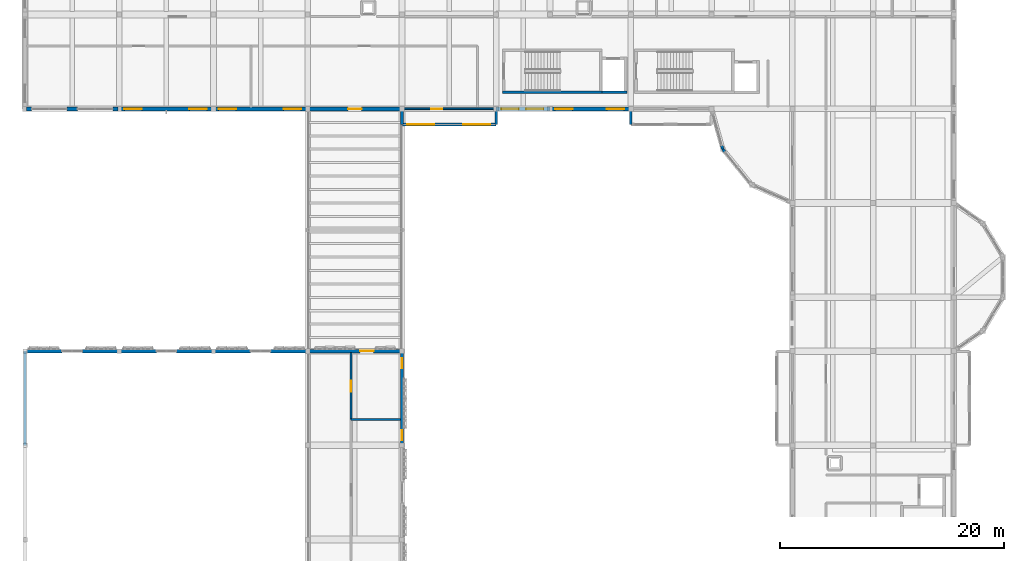
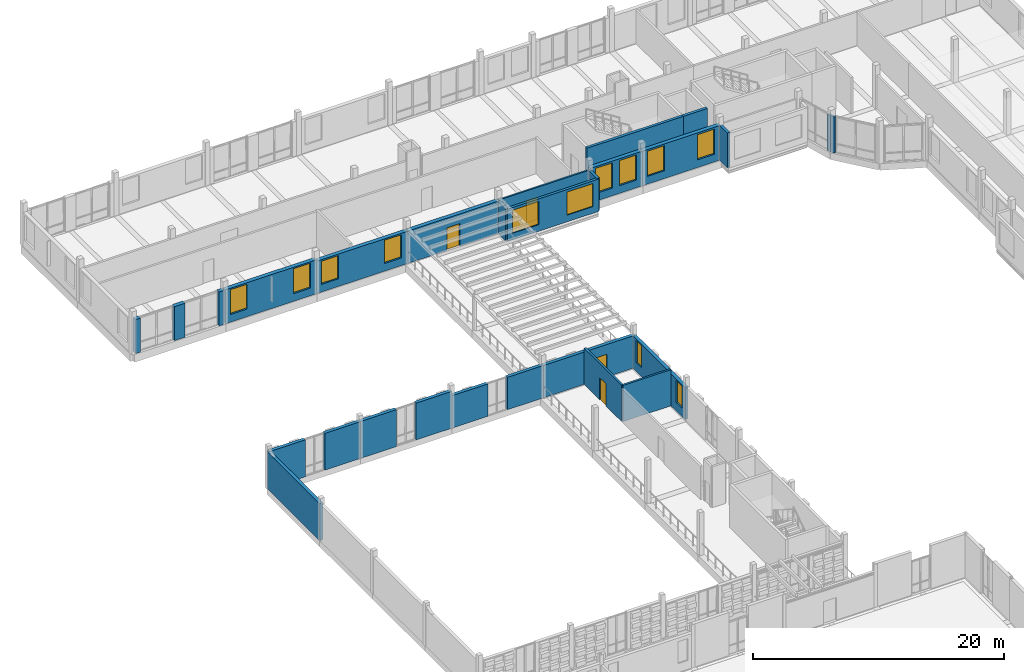
# One storey, part 70 of 99: 28 walls, 12 windows, 4 doors, 16 openings.
"""IFC4 building model written with IfcOpenShell, lengths in metres."""

from ifc_helpers import new_model, si_unit, direction, frame, frame_2d, origin, place, context, subcontext, project, spatial, rectangle, extrude, material, layer, layer_set, type_object, element, fill, save


model = new_model("IFC4")

# Units and contexts
model_context = context("Model", 3, precision=1e-05, world=origin(), true_north=direction((0.0, 1.0)))
body_context = subcontext(model_context, "Body", "Model", "MODEL_VIEW")
ifc_project = project(units=[si_unit("LENGTHUNIT", "METRE"), si_unit("AREAUNIT", "SQUARE_METRE"), si_unit("VOLUMEUNIT", "CUBIC_METRE"), si_unit("PLANEANGLEUNIT", "RADIAN"), si_unit("MASSUNIT", "GRAM", prefix="KILO")], contexts=[model_context])

# Site, building, storey
site_placement = place(None, origin())
site = spatial("IfcSite", under=ifc_project, at=site_placement, CompositionType="ELEMENT")
building_placement = place(site_placement, origin())
building = spatial("IfcBuilding", under=site, at=building_placement, Name="Kahlenmark Community Centre", CompositionType="ELEMENT")
storey_placement = place(building_placement, frame((0.0, 0.0, 5.39990234375)))
storey = spatial("IfcBuildingStorey", under=building, at=storey_placement, Name="L01", CompositionType="ELEMENT", Elevation=5.39990234375)

# Walls
ifc_material_1 = material(Name="Concrete C35/45", Category="concrete")
ifc_layer_1 = layer(ifc_material_1, 0.25)
ifc_layer_set_1 = layer_set([ifc_layer_1], Name="Concrete C35/45")
wall_type_1 = type_object("IfcWallType", Name="WT-CORE-250", PredefinedType="SHEAR", material=ifc_layer_set_1)
wall_1_placement = place(storey_placement, frame((46.550048828125, 99.074951171875, 0.0), z_axis=(0.0, 0.0, 1.0), x_axis=(1.0, 0.0, 0.0)))
element("IfcWall", 1, at=wall_1_placement, inside=storey, type_object=wall_type_1, Name="Core K4 shear wall WL-CORE-K4-L01-0114", PredefinedType="SHEAR", context=body_context, shape_type="SweptSolid", body=[
    extrude(rectangle(XDim=8.89990234375, YDim=0.25, at=frame_2d((4.449951171875, 0.0))), origin(), (0.0, 0.0, 1.0), 4.2001953125),
])
wall_2_placement = place(storey_placement, frame((55.449951171875, 99.074951171875, 0.0), z_axis=(0.0, 0.0, 1.0), x_axis=(1.0, 0.0, 0.0)))
element("IfcWall", 2, at=wall_2_placement, inside=storey, type_object=wall_type_1, Name="Core K4 shear wall WL-CORE-K4-L01-0117", PredefinedType="SHEAR", context=body_context, shape_type="SweptSolid", body=[
    extrude(rectangle(XDim=2.2099609375, YDim=0.25, at=frame_2d((1.10498046875, 0.0))), origin(), (0.0, 0.0, 1.0), 4.2001953125),
])
ifc_material_2 = material(Name="Cross-laminated timber CLT C24", Category="wood")
ifc_layer_2 = layer(ifc_material_2, 0.239990234375)
ifc_layer_set_2 = layer_set([ifc_layer_2], Name="Cross-laminated timber CLT C24")
wall_type_2 = type_object("IfcWallType", Name="WT-EW-240", PredefinedType="SOLIDWALL", material=ifc_layer_set_2)
for number, where, z_axis, x_axis, name in (
    (3, (66.10888671875, 94.32763671875, 0.0), (0.0, 0.0, 1.0), (0.267791974516, -0.963476755498, 0.0), "Rotunda pier closure 0775"),
    (4, (66.199951171875, 94.0, 0.0), (0.0, 0.0, 1.0), (0.630457451131, -0.776223809422, 0.0), "Rotunda pier closure 0776"),
):
    element("IfcWall", number, at=place(storey_placement, frame(where, z_axis=z_axis, x_axis=x_axis)), inside=storey, type_object=wall_type_2, Name=name, PredefinedType="SOLIDWALL", context=body_context, shape_type="SweptSolid", body=[
        extrude(rectangle(XDim=0.340087890625, YDim=0.239990234375, at=frame_2d((0.169921875, 0.0))), origin(), (0.0, 0.0, 1.0), 3.52001953125),
    ])
wall_3_placement = place(storey_placement, frame((37.60009765625, 97.449951171875, 0.0), z_axis=(0.0, 0.0, 1.0), x_axis=(0.0, -1.0, 0.0)))
element("IfcWall", 5, at=wall_3_placement, inside=storey, type_object=wall_type_2, Name="Bay oriel wall WL-ORI-L01-0820", PredefinedType="SOLIDWALL", context=body_context, shape_type="SweptSolid", body=[
    extrude(rectangle(XDim=1.25, YDim=0.239990234375, at=frame_2d((0.625, 0.0))), origin(), (0.0, 0.0, 1.0), 3.150146484375),
])

# Wall, openings, windows
wall_4_placement = place(storey_placement, frame((37.60009765625, 96.199951171875, 0.0), z_axis=(0.0, 0.0, 1.0), x_axis=(1.0, 0.0, 0.0)))
wall_4 = element("IfcWall", 6, at=wall_4_placement, inside=storey, type_object=wall_type_2, Name="Bay oriel wall WL-ORI-L01-0821", PredefinedType="SOLIDWALL", context=body_context, shape_type="SweptSolid", body=[
    extrude(rectangle(XDim=8.39990234375, YDim=0.239990234375, at=frame_2d((4.199951171875, 0.0))), origin(), (0.0, 0.0, 1.0), 3.150146484375),
])
opening_1_placement = place(wall_4_placement, frame((0.4599609375, 0.0, 0.64990234375)))
opening_1 = element("IfcOpeningElement", 7, at=opening_1_placement, cuts=wall_4, Name="Opening W-240X225", PredefinedType="OPENING", context=body_context, shape_type="SweptSolid", body=[
    extrude(rectangle(XDim=2.39990234375, YDim=2.25, at=frame_2d((1.199951171875, 1.125))), frame((0.0, 0.1298828125, 0.0), z_axis=(0.0, -1.0, 0.0), x_axis=(1.0, 0.0, 0.0)), (0.0, 0.0, 1.0), 0.260009765625),
])
opening_2_placement = place(wall_4_placement, frame((5.4599609375, 0.0, 0.64990234375)))
opening_2 = element("IfcOpeningElement", 8, at=opening_2_placement, cuts=wall_4, Name="Opening W-240X225", PredefinedType="OPENING", context=body_context, shape_type="SweptSolid", body=[
    extrude(rectangle(XDim=2.39990234375, YDim=2.25, at=frame_2d((1.199951171875, 1.125))), frame((0.0, 0.1298828125, 0.0), z_axis=(0.0, -1.0, 0.0), x_axis=(1.0, 0.0, 0.0)), (0.0, 0.0, 1.0), 0.260009765625),
])
ifc_material_3 = material(Name="Triple low-e insulated glazing in timber-aluminium frame", Category="wood")
window_type_1 = type_object("IfcWindowType", Name="WNT-240X225", PartitioningType="TRIPLE_PANEL_VERTICAL", PredefinedType="WINDOW", material=ifc_material_3)
window_1_placement = place(opening_1_placement, origin())
window_1 = element("IfcWindow", 9, at=window_1_placement, inside=storey, type_object=window_type_1, Name="Window W-240X225 #0511", OverallHeight=2.25, OverallWidth=2.39990234375, PartitioningType="TRIPLE_PANEL_VERTICAL", PredefinedType="WINDOW", context=body_context, shape_type="SweptSolid", body=[
    extrude(rectangle(XDim=2.39990234375, YDim=2.25, at=frame_2d((1.199951171875, 1.125))), frame((0.0, 0.030029296875, 0.0), z_axis=(0.0, -1.0, 0.0), x_axis=(1.0, 0.0, 0.0)), (0.0, 0.0, 1.0), 0.06005859375),
])
fill(opening_1, window_1)
window_2_placement = place(opening_2_placement, origin())
window_2 = element("IfcWindow", 10, at=window_2_placement, inside=storey, type_object=window_type_1, Name="Window W-240X225 #0512", OverallHeight=2.25, OverallWidth=2.39990234375, PartitioningType="TRIPLE_PANEL_VERTICAL", PredefinedType="WINDOW", context=body_context, shape_type="SweptSolid", body=[
    extrude(rectangle(XDim=2.39990234375, YDim=2.25, at=frame_2d((1.199951171875, 1.125))), frame((0.0, 0.030029296875, 0.0), z_axis=(0.0, -1.0, 0.0), x_axis=(1.0, 0.0, 0.0)), (0.0, 0.0, 1.0), 0.06005859375),
])
fill(opening_2, window_2)

# Walls
wall_5_placement = place(storey_placement, frame((46.0, 96.199951171875, 0.0), z_axis=(0.0, 0.0, 1.0), x_axis=(0.0, 1.0, 0.0)))
element("IfcWall", 11, at=wall_5_placement, inside=storey, type_object=wall_type_2, Name="Bay oriel wall WL-ORI-L01-0822", PredefinedType="SOLIDWALL", context=body_context, shape_type="SweptSolid", body=[
    extrude(rectangle(XDim=1.25, YDim=0.239990234375, at=frame_2d((0.625, 0.0))), origin(), (0.0, 0.0, 1.0), 3.150146484375),
])
wall_6_placement = place(storey_placement, frame((58.0, 97.449951171875, 0.0), z_axis=(0.0, 0.0, 1.0), x_axis=(0.0, -1.0, 0.0)))
element("IfcWall", 12, at=wall_6_placement, inside=storey, type_object=wall_type_2, Name="Bay oriel wall WL-ORI-L01-0832", PredefinedType="SOLIDWALL", context=body_context, shape_type="SweptSolid", body=[
    extrude(rectangle(XDim=1.25, YDim=0.239990234375, at=frame_2d((0.625, 0.0))), origin(), (0.0, 0.0, 1.0), 3.3701171875),
])
ifc_layer_3 = layer(ifc_material_2, 0.300048828125)
ifc_layer_set_3 = layer_set([ifc_layer_3], Name="Cross-laminated timber CLT C24")
wall_type_3 = type_object("IfcWallType", Name="WT-EW-300", PredefinedType="SOLIDWALL", material=ifc_layer_set_3)
wall_7_placement = place(storey_placement, frame((12.39990234375, 76.0, 0.0), z_axis=(0.0, 0.0, 1.0), x_axis=(-1.0, 0.0, 0.0)))
element("IfcWall", 13, at=wall_7_placement, inside=storey, type_object=wall_type_3, Name="Basketweave backup wall WL-EXT-L01-0279", PredefinedType="SOLIDWALL", context=body_context, shape_type="SweptSolid", body=[
    extrude(rectangle(XDim=3.2998046875, YDim=0.300048828125, at=frame_2d((1.64990234375, 0.0))), origin(), (0.0, 0.0, 1.0), 3.590087890625),
])
for number, where, z_axis, x_axis, name in (
    (14, (7.300048828125, 76.0, 0.0), (0.0, 0.0, 1.0), (-1.0, 0.0, 0.0), "Basketweave backup wall WL-EXT-L01-0280"),
    (15, (20.800048828125, 76.0, 0.0), (0.0, 0.0, 1.0), (-1.0, 0.0, 0.0), "Basketweave backup wall WL-EXT-L01-0281"),
    (16, (15.699951171875, 76.0, 0.0), (0.0, 0.0, 1.0), (-1.0, 0.0, 0.0), "Basketweave backup wall WL-EXT-L01-0282"),
):
    element("IfcWall", number, at=place(storey_placement, frame(where, z_axis=z_axis, x_axis=x_axis)), inside=storey, type_object=wall_type_3, Name=name, PredefinedType="SOLIDWALL", context=body_context, shape_type="SweptSolid", body=[
        extrude(rectangle(XDim=3.300048828125, YDim=0.300048828125, at=frame_2d((1.64990234375, 0.0))), origin(), (0.0, 0.0, 1.0), 3.590087890625),
    ])
for number, where, z_axis, x_axis, name in (
    (17, (29.199951171875, 76.0, 0.0), (0.0, 0.0, 1.0), (-1.0, 0.0, 0.0), "Basketweave backup wall WL-EXT-L01-0283"),
    (18, (24.10009765625, 76.0, 0.0), (0.0, 0.0, 1.0), (-1.0, 0.0, 0.0), "Basketweave backup wall WL-EXT-L01-0284"),
):
    element("IfcWall", number, at=place(storey_placement, frame(where, z_axis=z_axis, x_axis=x_axis)), inside=storey, type_object=wall_type_3, Name=name, PredefinedType="SOLIDWALL", context=body_context, shape_type="SweptSolid", body=[
        extrude(rectangle(XDim=3.300048828125, YDim=0.300048828125, at=frame_2d((1.64990234375, 0.0))), origin(), (0.0, 0.0, 1.0), 3.150146484375),
    ])

# Wall, opening, door
wall_8_placement = place(storey_placement, frame((37.60009765625, 76.0, 0.0), z_axis=(0.0, 0.0, 1.0), x_axis=(-1.0, 0.0, 0.0)))
wall_8 = element("IfcWall", 19, at=wall_8_placement, inside=storey, type_object=wall_type_3, Name="Exterior wall WL-EXT-L01-0285", PredefinedType="SOLIDWALL", context=body_context, shape_type="SweptSolid", body=[
    extrude(rectangle(XDim=8.400146484375, YDim=0.300048828125, at=frame_2d((4.2001953125, 0.0))), origin(), (0.0, 0.0, 1.0), 3.150146484375),
])
opening_3_placement = place(wall_8_placement, frame((2.52001953125, 0.0, -0.010009765625)))
opening_3 = element("IfcOpeningElement", 20, at=opening_3_placement, cuts=wall_8, Name="Opening D-TER08", PredefinedType="OPENING", context=body_context, shape_type="SweptSolid", body=[
    extrude(rectangle(XDim=1.199951171875, YDim=2.2099609375, at=frame_2d((0.60009765625, 1.10498046875))), frame((0.0, 0.159912109375, 0.0), z_axis=(0.0, -1.0, 0.0), x_axis=(1.0, 0.0, 0.0)), (0.0, 0.0, 1.0), 0.320068359375),
])
ifc_material_4 = material(Name="Thermally broken glazed aluminium terrace door", Category="aluminium")
door_type_1 = type_object("IfcDoorType", Name="DT-EXT-120X220", OperationType="NOTDEFINED", PredefinedType="DOOR", material=ifc_material_4)
door_1_placement = place(opening_3_placement, frame((0.0, 0.0, 0.010009765625)))
door_1 = element("IfcDoor", 21, at=door_1_placement, inside=storey, type_object=door_type_1, Name="Exterior door D-TER08", OperationType="SINGLE_SWING_LEFT", OverallHeight=2.199951171875, OverallWidth=1.199951171875, PredefinedType="DOOR", context=body_context, shape_type="SweptSolid", body=[
    extrude(rectangle(XDim=1.199951171875, YDim=2.199951171875, at=frame_2d((0.60009765625, 1.10009765625))), frame((0.0, 0.02490234375, 0.0), z_axis=(0.0, -1.0, 0.0), x_axis=(1.0, 0.0, 0.0)), (0.0, 0.0, 1.0), 0.050048828125),
])
fill(opening_3, door_1)

# Wall
wall_9_placement = place(storey_placement, frame((4.0, 76.0, 0.0), z_axis=(0.0, 0.0, 1.0), x_axis=(0.0, -1.0, 0.0)))
element("IfcWall", 22, at=wall_9_placement, inside=storey, type_object=wall_type_3, Name="Exterior wall WL-EXT-L01-0289", PredefinedType="SOLIDWALL", context=body_context, shape_type="SweptSolid", body=[
    extrude(rectangle(XDim=8.39990234375, YDim=0.300048828125, at=frame_2d((4.199951171875, 0.0))), origin(), (0.0, 0.0, 1.0), 3.590087890625),
])

# Wall, openings, windows
wall_10_placement = place(storey_placement, frame((37.60009765625, 67.60009765625, 0.0), z_axis=(0.0, 0.0, 1.0), x_axis=(0.0, 1.0, 0.0)))
wall_10 = element("IfcWall", 23, at=wall_10_placement, inside=storey, type_object=wall_type_3, Name="Exterior wall WL-EXT-L01-0296", PredefinedType="SOLIDWALL", context=body_context, shape_type="SweptSolid", body=[
    extrude(rectangle(XDim=8.39990234375, YDim=0.300048828125, at=frame_2d((4.199951171875, 0.0))), origin(), (0.0, 0.0, 1.0), 3.150146484375),
])
opening_4_placement = place(wall_10_placement, frame((0.4599609375, 0.0, 0.85009765625)))
opening_4 = element("IfcOpeningElement", 24, at=opening_4_placement, cuts=wall_10, Name="Opening W-090X215", PredefinedType="OPENING", context=body_context, shape_type="SweptSolid", body=[
    extrude(rectangle(XDim=0.89990234375, YDim=2.14990234375, at=frame_2d((0.449951171875, 1.074951171875))), frame((0.0, 0.159912109375, 0.0), z_axis=(0.0, -1.0, 0.0), x_axis=(1.0, 0.0, 0.0)), (0.0, 0.0, 1.0), 0.320068359375),
])
opening_5_placement = place(wall_10_placement, frame((6.860107421875, 0.0, 0.85009765625)))
opening_5 = element("IfcOpeningElement", 25, at=opening_5_placement, cuts=wall_10, Name="Opening W-090X215", PredefinedType="OPENING", context=body_context, shape_type="SweptSolid", body=[
    extrude(rectangle(XDim=0.89990234375, YDim=2.14990234375, at=frame_2d((0.449951171875, 1.074951171875))), frame((0.0, 0.159912109375, 0.0), z_axis=(0.0, -1.0, 0.0), x_axis=(1.0, 0.0, 0.0)), (0.0, 0.0, 1.0), 0.320068359375),
])
ifc_material_5 = material(Name="Recessed basketweave aperture triple glazing", Category="glass")
window_type_2 = type_object("IfcWindowType", Name="WNT-090X215", PartitioningType="SINGLE_PANEL", PredefinedType="WINDOW", material=ifc_material_5)
window_3_placement = place(opening_4_placement, origin())
window_3 = element("IfcWindow", 26, at=window_3_placement, inside=storey, type_object=window_type_2, Name="Window W-090X215 #0177", OverallHeight=2.14990234375, OverallWidth=0.89990234375, PartitioningType="SINGLE_PANEL", PredefinedType="WINDOW", context=body_context, shape_type="SweptSolid", body=[
    extrude(rectangle(XDim=0.89990234375, YDim=2.14990234375, at=frame_2d((0.449951171875, 1.074951171875))), frame((0.0, 0.030029296875, 0.0), z_axis=(0.0, -1.0, 0.0), x_axis=(1.0, 0.0, 0.0)), (0.0, 0.0, 1.0), 0.06005859375),
])
fill(opening_4, window_3)
window_4_placement = place(opening_5_placement, origin())
window_4 = element("IfcWindow", 27, at=window_4_placement, inside=storey, type_object=window_type_2, Name="Window W-090X215 #0178", OverallHeight=2.14990234375, OverallWidth=0.89990234375, PartitioningType="SINGLE_PANEL", PredefinedType="WINDOW", context=body_context, shape_type="SweptSolid", body=[
    extrude(rectangle(XDim=0.89990234375, YDim=2.14990234375, at=frame_2d((0.449951171875, 1.074951171875))), frame((0.0, 0.030029296875, 0.0), z_axis=(0.0, -1.0, 0.0), x_axis=(1.0, 0.0, 0.0)), (0.0, 0.0, 1.0), 0.06005859375),
])
fill(opening_5, window_4)

# Walls
ifc_material_6 = material(Name="Danube limestone masonry", Category="masonry")
ifc_layer_4 = layer(ifc_material_6, 0.360107421875)
ifc_layer_set_4 = layer_set([ifc_layer_4], Name="Danube limestone masonry")
wall_type_4 = type_object("IfcWallType", Name="WT-EW-360", PredefinedType="SOLIDWALL", material=ifc_layer_set_4)
wall_11_placement = place(storey_placement, frame((7.719970703125, 97.60009765625, 0.0), z_axis=(0.0, 0.0, 1.0), x_axis=(1.0, 0.0, 0.0)))
element("IfcWall", 28, at=wall_11_placement, inside=storey, type_object=wall_type_4, Name="Postmodern limestone pier 0320", PredefinedType="SOLIDWALL", context=body_context, shape_type="SweptSolid", body=[
    extrude(rectangle(XDim=0.9599609375, YDim=0.360107421875, at=frame_2d((0.47998046875, 0.0))), origin(), (0.0, 0.0, 1.0), 3.31005859375),
])
wall_12_placement = place(storey_placement, frame((4.1298828125, 97.60009765625, 0.0), z_axis=(0.0, 0.0, 1.0), x_axis=(1.0, 0.0, 0.0)))
element("IfcWall", 29, at=wall_12_placement, inside=storey, type_object=wall_type_4, Name="Column closure pier 0321", PredefinedType="SOLIDWALL", context=body_context, shape_type="SweptSolid", body=[
    extrude(rectangle(XDim=0.4501953125, YDim=0.360107421875, at=frame_2d((0.22509765625, 0.0))), origin(), (0.0, 0.0, 1.0), 3.31005859375),
])
wall_13_placement = place(storey_placement, frame((11.820068359375, 97.60009765625, 0.0), z_axis=(0.0, 0.0, 1.0), x_axis=(1.0, 0.0, 0.0)))
element("IfcWall", 30, at=wall_13_placement, inside=storey, type_object=wall_type_4, Name="Column closure pier 0322", PredefinedType="SOLIDWALL", context=body_context, shape_type="SweptSolid", body=[
    extrude(rectangle(XDim=0.449951171875, YDim=0.360107421875, at=frame_2d((0.22509765625, 0.0))), origin(), (0.0, 0.0, 1.0), 3.31005859375),
])

# Wall, openings, windows
wall_14_placement = place(storey_placement, frame((12.39990234375, 97.60009765625, 0.0), z_axis=(0.0, 0.0, 1.0), x_axis=(1.0, 0.0, 0.0)))
wall_14 = element("IfcWall", 31, at=wall_14_placement, inside=storey, type_object=wall_type_4, Name="Exterior wall WL-EXT-L01-0323", PredefinedType="SOLIDWALL", context=body_context, shape_type="SweptSolid", body=[
    extrude(rectangle(XDim=8.400146484375, YDim=0.360107421875, at=frame_2d((4.2001953125, 0.0))), origin(), (0.0, 0.0, 1.0), 3.31005859375),
])
opening_6_placement = place(wall_14_placement, frame((0.4599609375, 0.0, 0.75)))
opening_6 = element("IfcOpeningElement", 32, at=opening_6_placement, cuts=wall_14, Name="Opening W-155X242", PredefinedType="OPENING", context=body_context, shape_type="SweptSolid", body=[
    extrude(rectangle(XDim=1.550048828125, YDim=2.419921875, at=frame_2d((0.77490234375, 1.2099609375))), frame((0.0, 0.18994140625, 0.0), z_axis=(0.0, -1.0, 0.0), x_axis=(1.0, 0.0, 0.0)), (0.0, 0.0, 1.0), 0.380126953125),
])
opening_7_placement = place(wall_14_placement, frame((6.260009765625, 0.0, 0.75)))
opening_7 = element("IfcOpeningElement", 33, at=opening_7_placement, cuts=wall_14, Name="Opening W-155X242", PredefinedType="OPENING", context=body_context, shape_type="SweptSolid", body=[
    extrude(rectangle(XDim=1.550048828125, YDim=2.419921875, at=frame_2d((0.77490234375, 1.2099609375))), frame((0.0, 0.18994140625, 0.0), z_axis=(0.0, -1.0, 0.0), x_axis=(1.0, 0.0, 0.0)), (0.0, 0.0, 1.0), 0.380126953125),
])
ifc_material_7 = material(Name="Deep-reveal limestone punched triple glazing", Category="masonry")
window_type_3 = type_object("IfcWindowType", Name="WNT-155X242", PartitioningType="DOUBLE_PANEL_HORIZONTAL", PredefinedType="WINDOW", material=ifc_material_7)
window_5_placement = place(opening_6_placement, origin())
window_5 = element("IfcWindow", 34, at=window_5_placement, inside=storey, type_object=window_type_3, Name="Window W-155X242 #0185", OverallHeight=2.419921875, OverallWidth=1.550048828125, PartitioningType="DOUBLE_PANEL_HORIZONTAL", PredefinedType="WINDOW", context=body_context, shape_type="SweptSolid", body=[
    extrude(rectangle(XDim=1.550048828125, YDim=2.419921875, at=frame_2d((0.77490234375, 1.2099609375))), frame((0.0, 0.030029296875, 0.0), z_axis=(0.0, -1.0, 0.0), x_axis=(1.0, 0.0, 0.0)), (0.0, 0.0, 1.0), 0.06005859375),
])
fill(opening_6, window_5)
window_6_placement = place(opening_7_placement, origin())
window_6 = element("IfcWindow", 35, at=window_6_placement, inside=storey, type_object=window_type_3, Name="Window W-155X242 #0186", OverallHeight=2.419921875, OverallWidth=1.550048828125, PartitioningType="DOUBLE_PANEL_HORIZONTAL", PredefinedType="WINDOW", context=body_context, shape_type="SweptSolid", body=[
    extrude(rectangle(XDim=1.550048828125, YDim=2.419921875, at=frame_2d((0.77490234375, 1.2099609375))), frame((0.0, 0.030029296875, 0.0), z_axis=(0.0, -1.0, 0.0), x_axis=(1.0, 0.0, 0.0)), (0.0, 0.0, 1.0), 0.06005859375),
])
fill(opening_7, window_6)

wall_15_placement = place(storey_placement, frame((20.800048828125, 97.60009765625, 0.0), z_axis=(0.0, 0.0, 1.0), x_axis=(1.0, 0.0, 0.0)))
wall_15 = element("IfcWall", 36, at=wall_15_placement, inside=storey, type_object=wall_type_4, Name="Exterior wall WL-EXT-L01-0324", PredefinedType="SOLIDWALL", context=body_context, shape_type="SweptSolid", body=[
    extrude(rectangle(XDim=8.39990234375, YDim=0.360107421875, at=frame_2d((4.199951171875, 0.0))), origin(), (0.0, 0.0, 1.0), 3.150146484375),
])
opening_8_placement = place(wall_15_placement, frame((0.4599609375, 0.0, 0.75)))
opening_8 = element("IfcOpeningElement", 37, at=opening_8_placement, cuts=wall_15, Name="Opening W-155X226", PredefinedType="OPENING", context=body_context, shape_type="SweptSolid", body=[
    extrude(rectangle(XDim=1.550048828125, YDim=2.260009765625, at=frame_2d((0.77490234375, 1.1298828125))), frame((0.0, 0.18994140625, 0.0), z_axis=(0.0, -1.0, 0.0), x_axis=(1.0, 0.0, 0.0)), (0.0, 0.0, 1.0), 0.380126953125),
])
opening_9_placement = place(wall_15_placement, frame((6.260009765625, 0.0, 0.75)))
opening_9 = element("IfcOpeningElement", 38, at=opening_9_placement, cuts=wall_15, Name="Opening W-155X226", PredefinedType="OPENING", context=body_context, shape_type="SweptSolid", body=[
    extrude(rectangle(XDim=1.550048828125, YDim=2.260009765625, at=frame_2d((0.77490234375, 1.1298828125))), frame((0.0, 0.18994140625, 0.0), z_axis=(0.0, -1.0, 0.0), x_axis=(1.0, 0.0, 0.0)), (0.0, 0.0, 1.0), 0.380126953125),
])
window_type_4 = type_object("IfcWindowType", Name="WNT-155X226", PartitioningType="DOUBLE_PANEL_HORIZONTAL", PredefinedType="WINDOW", material=ifc_material_7)
window_7_placement = place(opening_8_placement, origin())
window_7 = element("IfcWindow", 39, at=window_7_placement, inside=storey, type_object=window_type_4, Name="Window W-155X226 #0187", OverallHeight=2.260009765625, OverallWidth=1.550048828125, PartitioningType="DOUBLE_PANEL_HORIZONTAL", PredefinedType="WINDOW", context=body_context, shape_type="SweptSolid", body=[
    extrude(rectangle(XDim=1.550048828125, YDim=2.260009765625, at=frame_2d((0.77490234375, 1.1298828125))), frame((0.0, 0.030029296875, 0.0), z_axis=(0.0, -1.0, 0.0), x_axis=(1.0, 0.0, 0.0)), (0.0, 0.0, 1.0), 0.06005859375),
])
fill(opening_8, window_7)
window_8_placement = place(opening_9_placement, origin())
window_8 = element("IfcWindow", 40, at=window_8_placement, inside=storey, type_object=window_type_4, Name="Window W-155X226 #0188", OverallHeight=2.260009765625, OverallWidth=1.550048828125, PartitioningType="DOUBLE_PANEL_HORIZONTAL", PredefinedType="WINDOW", context=body_context, shape_type="SweptSolid", body=[
    extrude(rectangle(XDim=1.550048828125, YDim=2.260009765625, at=frame_2d((0.77490234375, 1.1298828125))), frame((0.0, 0.030029296875, 0.0), z_axis=(0.0, -1.0, 0.0), x_axis=(1.0, 0.0, 0.0)), (0.0, 0.0, 1.0), 0.06005859375),
])
fill(opening_9, window_8)

# Wall, opening, door
wall_16_placement = place(storey_placement, frame((29.199951171875, 97.60009765625, 0.0), z_axis=(0.0, 0.0, 1.0), x_axis=(1.0, 0.0, 0.0)))
wall_16 = element("IfcWall", 41, at=wall_16_placement, inside=storey, type_object=wall_type_4, Name="Exterior wall WL-EXT-L01-0325", PredefinedType="SOLIDWALL", context=body_context, shape_type="SweptSolid", body=[
    extrude(rectangle(XDim=8.400146484375, YDim=0.360107421875, at=frame_2d((4.2001953125, 0.0))), origin(), (0.0, 0.0, 1.0), 3.150146484375),
])
opening_10_placement = place(wall_16_placement, frame((3.60009765625, 0.0, -0.010009765625)))
opening_10 = element("IfcOpeningElement", 42, at=opening_10_placement, cuts=wall_16, Name="Opening D-TER09", PredefinedType="OPENING", context=body_context, shape_type="SweptSolid", body=[
    extrude(rectangle(XDim=1.199951171875, YDim=2.2099609375, at=frame_2d((0.60009765625, 1.10498046875))), frame((0.0, 0.18994140625, 0.0), z_axis=(0.0, -1.0, 0.0), x_axis=(1.0, 0.0, 0.0)), (0.0, 0.0, 1.0), 0.380126953125),
])
door_2_placement = place(opening_10_placement, frame((0.0, 0.0, 0.010009765625)))
door_2 = element("IfcDoor", 43, at=door_2_placement, inside=storey, type_object=door_type_1, Name="Exterior door D-TER09", OperationType="SINGLE_SWING_RIGHT", OverallHeight=2.199951171875, OverallWidth=1.199951171875, PredefinedType="DOOR", context=body_context, shape_type="SweptSolid", body=[
    extrude(rectangle(XDim=1.199951171875, YDim=2.199951171875, at=frame_2d((0.60009765625, 1.10009765625))), frame((0.0, 0.02490234375, 0.0), z_axis=(0.0, -1.0, 0.0), x_axis=(1.0, 0.0, 0.0)), (0.0, 0.0, 1.0), 0.050048828125),
])
fill(opening_10, door_2)

# Wall, openings, windows
wall_17_placement = place(storey_placement, frame((46.0, 97.60009765625, 0.0), z_axis=(0.0, 0.0, 1.0), x_axis=(1.0, 0.0, 0.0)))
wall_17 = element("IfcWall", 44, at=wall_17_placement, inside=storey, type_object=wall_type_4, Name="Exterior wall WL-EXT-L01-0326", PredefinedType="SOLIDWALL", context=body_context, shape_type="SweptSolid", body=[
    extrude(rectangle(XDim=4.800048828125, YDim=0.360107421875, at=frame_2d((2.39990234375, 0.0))), origin(), (0.0, 0.0, 1.0), 3.3701171875),
])
opening_11_placement = place(wall_17_placement, frame((0.4599609375, 0.0, 0.75)))
opening_11 = element("IfcOpeningElement", 45, at=opening_11_placement, cuts=wall_17, Name="Opening W-155X245", PredefinedType="OPENING", context=body_context, shape_type="SweptSolid", body=[
    extrude(rectangle(XDim=1.550048828125, YDim=2.449951171875, at=frame_2d((0.77490234375, 1.22509765625))), frame((0.0, 0.18994140625, 0.0), z_axis=(0.0, -1.0, 0.0), x_axis=(1.0, 0.0, 0.0)), (0.0, 0.0, 1.0), 0.380126953125),
])
opening_12_placement = place(wall_17_placement, frame((2.659912109375, 0.0, 0.75)))
opening_12 = element("IfcOpeningElement", 46, at=opening_12_placement, cuts=wall_17, Name="Opening W-155X245", PredefinedType="OPENING", context=body_context, shape_type="SweptSolid", body=[
    extrude(rectangle(XDim=1.550048828125, YDim=2.449951171875, at=frame_2d((0.77490234375, 1.22509765625))), frame((0.0, 0.18994140625, 0.0), z_axis=(0.0, -1.0, 0.0), x_axis=(1.0, 0.0, 0.0)), (0.0, 0.0, 1.0), 0.380126953125),
])
window_type_5 = type_object("IfcWindowType", Name="WNT-155X245", PartitioningType="DOUBLE_PANEL_HORIZONTAL", PredefinedType="WINDOW", material=ifc_material_7)
window_9_placement = place(opening_11_placement, origin())
window_9 = element("IfcWindow", 47, at=window_9_placement, inside=storey, type_object=window_type_5, Name="Window W-155X245 #0189", OverallHeight=2.449951171875, OverallWidth=1.550048828125, PartitioningType="DOUBLE_PANEL_HORIZONTAL", PredefinedType="WINDOW", context=body_context, shape_type="SweptSolid", body=[
    extrude(rectangle(XDim=1.550048828125, YDim=2.449951171875, at=frame_2d((0.77490234375, 1.22509765625))), frame((0.0, 0.030029296875, 0.0), z_axis=(0.0, -1.0, 0.0), x_axis=(1.0, 0.0, 0.0)), (0.0, 0.0, 1.0), 0.06005859375),
])
fill(opening_11, window_9)
window_10_placement = place(opening_12_placement, origin())
window_10 = element("IfcWindow", 48, at=window_10_placement, inside=storey, type_object=window_type_5, Name="Window W-155X245 #0190", OverallHeight=2.449951171875, OverallWidth=1.550048828125, PartitioningType="DOUBLE_PANEL_HORIZONTAL", PredefinedType="WINDOW", context=body_context, shape_type="SweptSolid", body=[
    extrude(rectangle(XDim=1.550048828125, YDim=2.449951171875, at=frame_2d((0.77490234375, 1.22509765625))), frame((0.0, 0.030029296875, 0.0), z_axis=(0.0, -1.0, 0.0), x_axis=(1.0, 0.0, 0.0)), (0.0, 0.0, 1.0), 0.06005859375),
])
fill(opening_12, window_10)

wall_18_placement = place(storey_placement, frame((50.800048828125, 97.60009765625, 0.0), z_axis=(0.0, 0.0, 1.0), x_axis=(1.0, 0.0, 0.0)))
wall_18 = element("IfcWall", 49, at=wall_18_placement, inside=storey, type_object=wall_type_4, Name="Exterior wall WL-EXT-L01-0327", PredefinedType="SOLIDWALL", context=body_context, shape_type="SweptSolid", body=[
    extrude(rectangle(XDim=7.199951171875, YDim=0.360107421875, at=frame_2d((3.60009765625, 0.0))), origin(), (0.0, 0.0, 1.0), 3.3701171875),
])
opening_13_placement = place(wall_18_placement, frame((0.4599609375, 0.0, 0.75)))
opening_13 = element("IfcOpeningElement", 50, at=opening_13_placement, cuts=wall_18, Name="Opening W-155X245", PredefinedType="OPENING", context=body_context, shape_type="SweptSolid", body=[
    extrude(rectangle(XDim=1.550048828125, YDim=2.449951171875, at=frame_2d((0.77490234375, 1.22509765625))), frame((0.0, 0.18994140625, 0.0), z_axis=(0.0, -1.0, 0.0), x_axis=(1.0, 0.0, 0.0)), (0.0, 0.0, 1.0), 0.380126953125),
])
opening_14_placement = place(wall_18_placement, frame((5.06005859375, 0.0, 0.75)))
opening_14 = element("IfcOpeningElement", 51, at=opening_14_placement, cuts=wall_18, Name="Opening W-155X245", PredefinedType="OPENING", context=body_context, shape_type="SweptSolid", body=[
    extrude(rectangle(XDim=1.550048828125, YDim=2.449951171875, at=frame_2d((0.77490234375, 1.22509765625))), frame((0.0, 0.18994140625, 0.0), z_axis=(0.0, -1.0, 0.0), x_axis=(1.0, 0.0, 0.0)), (0.0, 0.0, 1.0), 0.380126953125),
])
window_11_placement = place(opening_13_placement, origin())
window_11 = element("IfcWindow", 52, at=window_11_placement, inside=storey, type_object=window_type_5, Name="Window W-155X245 #0191", OverallHeight=2.449951171875, OverallWidth=1.550048828125, PartitioningType="DOUBLE_PANEL_HORIZONTAL", PredefinedType="WINDOW", context=body_context, shape_type="SweptSolid", body=[
    extrude(rectangle(XDim=1.550048828125, YDim=2.449951171875, at=frame_2d((0.77490234375, 1.22509765625))), frame((0.0, 0.030029296875, 0.0), z_axis=(0.0, -1.0, 0.0), x_axis=(1.0, 0.0, 0.0)), (0.0, 0.0, 1.0), 0.06005859375),
])
fill(opening_13, window_11)
window_12_placement = place(opening_14_placement, origin())
window_12 = element("IfcWindow", 53, at=window_12_placement, inside=storey, type_object=window_type_5, Name="Window W-155X245 #0192", OverallHeight=2.449951171875, OverallWidth=1.550048828125, PartitioningType="DOUBLE_PANEL_HORIZONTAL", PredefinedType="WINDOW", context=body_context, shape_type="SweptSolid", body=[
    extrude(rectangle(XDim=1.550048828125, YDim=2.449951171875, at=frame_2d((0.77490234375, 1.22509765625))), frame((0.0, 0.030029296875, 0.0), z_axis=(0.0, -1.0, 0.0), x_axis=(1.0, 0.0, 0.0)), (0.0, 0.0, 1.0), 0.06005859375),
])
fill(opening_14, window_12)

# Wall, opening, door
ifc_material_8 = material(Name="Gypsum plasterboard partition", Category="gypsum")
ifc_layer_5 = layer(ifc_material_8, 0.14990234375)
ifc_layer_set_5 = layer_set([ifc_layer_5], Name="Gypsum plasterboard partition")
wall_type_5 = type_object("IfcWallType", Name="WT-PW-150", PredefinedType="PARTITIONING", material=ifc_layer_set_5)
wall_19_placement = place(storey_placement, frame((37.60009765625, 97.60009765625, 0.0), z_axis=(0.0, 0.0, 1.0), x_axis=(1.0, 0.0, 0.0)))
wall_19 = element("IfcWall", 54, at=wall_19_placement, inside=storey, type_object=wall_type_5, Name="Interior partition WL-INT-L01-0143", PredefinedType="PARTITIONING", context=body_context, shape_type="SweptSolid", body=[
    extrude(rectangle(XDim=8.39990234375, YDim=0.14990234375, at=frame_2d((4.199951171875, 0.0))), origin(), (0.0, 0.0, 1.0), 3.150146484375),
])
opening_15_placement = place(wall_19_placement, frame((2.590087890625, 0.0, -0.010009765625)))
opening_15 = element("IfcOpeningElement", 55, at=opening_15_placement, cuts=wall_19, Name="Opening D-L01-085", PredefinedType="OPENING", context=body_context, shape_type="SweptSolid", body=[
    extrude(rectangle(XDim=1.0, YDim=2.159912109375, at=frame_2d((0.5, 1.080078125))), frame((0.0, 0.0849609375, 0.0), z_axis=(0.0, -1.0, 0.0), x_axis=(1.0, 0.0, 0.0)), (0.0, 0.0, 1.0), 0.169921875),
])
ifc_material_9 = material(Name="Oak timber veneer door leaf", Category="wood")
door_type_2 = type_object("IfcDoorType", Name="DT-INT-100X215", OperationType="NOTDEFINED", PredefinedType="DOOR", material=ifc_material_9)
door_3_placement = place(opening_15_placement, frame((0.0, 0.0, 0.010009765625)))
door_3 = element("IfcDoor", 56, at=door_3_placement, inside=storey, type_object=door_type_2, Name="Interior door D-L01-085", OperationType="SINGLE_SWING_RIGHT", OverallHeight=2.14990234375, OverallWidth=1.0, PredefinedType="DOOR", context=body_context, shape_type="SweptSolid", body=[
    extrude(rectangle(XDim=1.0, YDim=2.14990234375, at=frame_2d((0.5, 1.074951171875))), frame((0.0, 0.02490234375, 0.0), z_axis=(0.0, -1.0, 0.0), x_axis=(1.0, 0.0, 0.0)), (0.0, 0.0, 1.0), 0.050048828125),
])
fill(opening_15, door_3)

ifc_layer_6 = layer(ifc_material_8, 0.179931640625)
ifc_layer_set_6 = layer_set([ifc_layer_6], Name="Gypsum plasterboard partition")
wall_type_6 = type_object("IfcWallType", Name="WT-PW-180", PredefinedType="PARTITIONING", material=ifc_layer_set_6)
wall_20_placement = place(storey_placement, frame((33.050048828125, 69.89990234375, 0.0), z_axis=(0.0, 0.0, 1.0), x_axis=(0.0, 1.0, 0.0)))
wall_20 = element("IfcWall", 57, at=wall_20_placement, inside=storey, type_object=wall_type_6, Name="Interior partition WL-INT-L01-0103", PredefinedType="PARTITIONING", context=body_context, shape_type="SweptSolid", body=[
    extrude(rectangle(XDim=5.960205078125, YDim=0.179931640625, at=frame_2d((2.97998046875, 0.0))), origin(), (0.0, 0.0, 1.0), 3.52001953125),
])
opening_16_placement = place(wall_20_placement, frame((2.47998046875, 0.0, -0.010009765625)))
opening_16 = element("IfcOpeningElement", 58, at=opening_16_placement, cuts=wall_20, Name="Opening D-L01-062", PredefinedType="OPENING", context=body_context, shape_type="SweptSolid", body=[
    extrude(rectangle(XDim=1.0, YDim=2.159912109375, at=frame_2d((0.5, 1.080078125))), frame((0.0, 0.099853515625, 0.0), z_axis=(0.0, -1.0, 0.0), x_axis=(1.0, 0.0, 0.0)), (0.0, 0.0, 1.0), 0.199951171875),
])
door_4_placement = place(opening_16_placement, frame((0.0, 0.0, 0.010009765625)))
door_4 = element("IfcDoor", 59, at=door_4_placement, inside=storey, type_object=door_type_2, Name="Interior door D-L01-062", OperationType="SINGLE_SWING_LEFT", OverallHeight=2.14990234375, OverallWidth=1.0, PredefinedType="DOOR", context=body_context, shape_type="SweptSolid", body=[
    extrude(rectangle(XDim=1.0, YDim=2.14990234375, at=frame_2d((0.5, 1.074951171875))), frame((0.0, 0.02490234375, 0.0), z_axis=(0.0, -1.0, 0.0), x_axis=(1.0, 0.0, 0.0)), (0.0, 0.0, 1.0), 0.050048828125),
])
fill(opening_16, door_4)

# Wall
wall_21_placement = place(storey_placement, frame((33.050048828125, 69.89990234375, 0.0), z_axis=(0.0, 0.0, 1.0), x_axis=(1.0, 0.0, 0.0)))
element("IfcWall", 60, at=wall_21_placement, inside=storey, type_object=wall_type_6, Name="Interior partition WL-INT-L01-0104", PredefinedType="PARTITIONING", context=body_context, shape_type="SweptSolid", body=[
    extrude(rectangle(XDim=4.409912109375, YDim=0.179931640625, at=frame_2d((2.205078125, 0.0))), origin(), (0.0, 0.0, 1.0), 3.52001953125),
])

save(model, "model.ifc")
